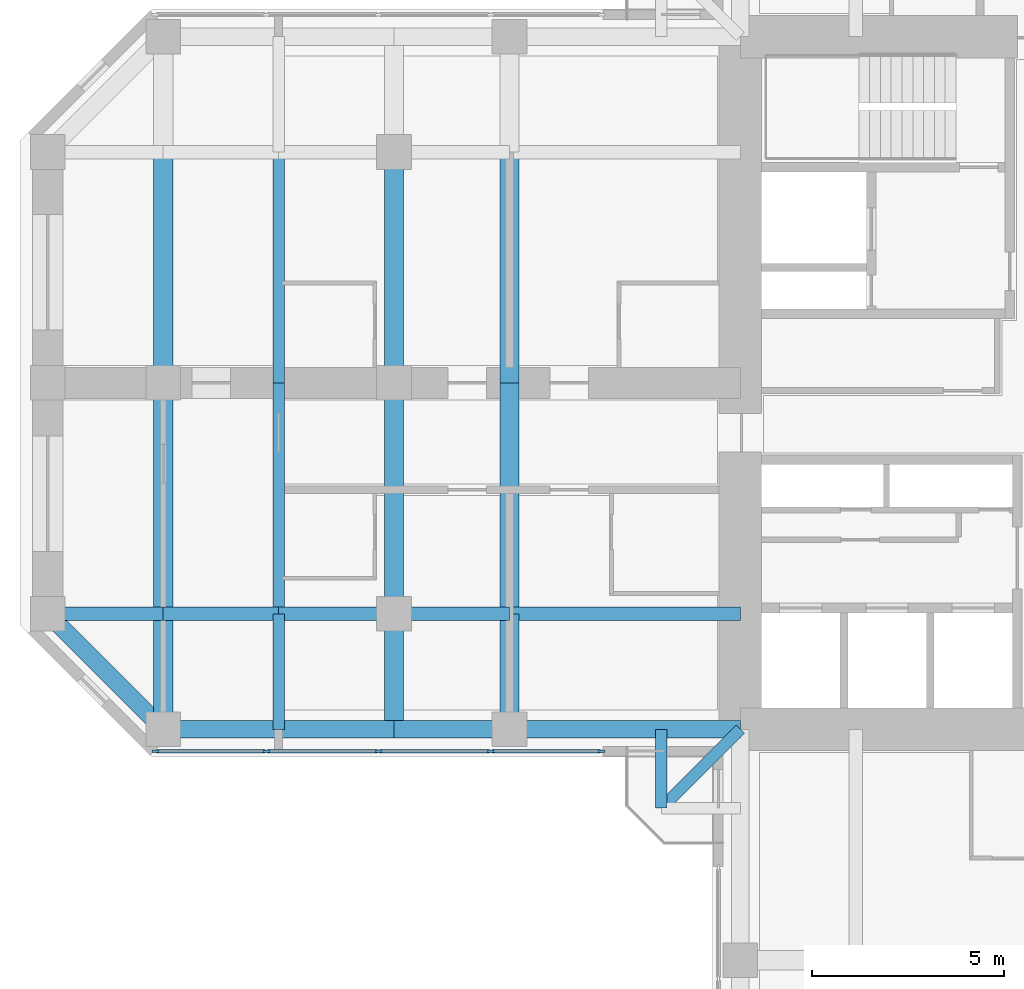
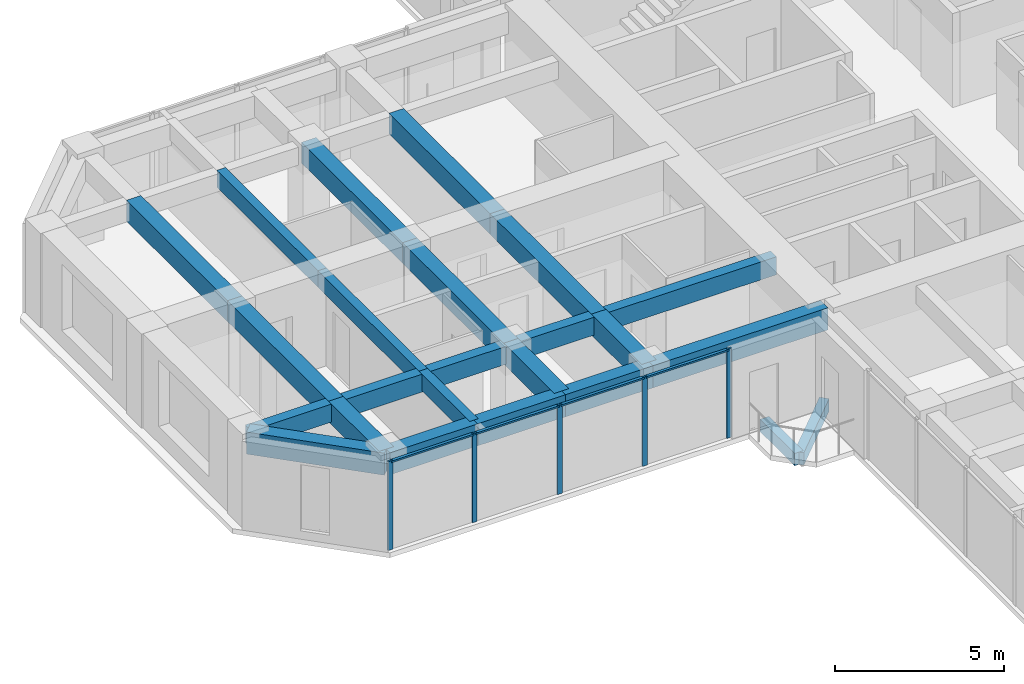
# One storey, part 3 of 14: 24 beams, 9 members, 1 element without a shape of its own.
"""IFC4 building model written with IfcOpenShell, lengths in metres."""

from ifc_helpers import new_model, si_unit, direction, frame, origin, origin_2d, place, context, subcontext, project, spatial, rectangle, extrude, material, material_profile, profile_set, type_object, element, aggregate, save


model = new_model("IFC4")

# Units and contexts
model_context = context("Model", 3, precision=1e-05, world=origin(), true_north=direction((0.0, 1.0)))
body_context = subcontext(model_context, "Body", "Model", "MODEL_VIEW")
ifc_project = project(units=[si_unit("LENGTHUNIT", "METRE"), si_unit("AREAUNIT", "SQUARE_METRE"), si_unit("VOLUMEUNIT", "CUBIC_METRE"), si_unit("PLANEANGLEUNIT", "RADIAN"), si_unit("MASSUNIT", "GRAM", prefix="KILO")], contexts=[model_context])

# Site, building, storey
site_placement = place(None, origin())
site = spatial("IfcSite", under=ifc_project, at=site_placement, CompositionType="ELEMENT")
building_placement = place(site_placement, origin())
building = spatial("IfcBuilding", under=site, at=building_placement, Name="Torre Cruceta", CompositionType="ELEMENT")
storey_placement = place(building_placement, frame((0.0, 0.0, 172.89990234375)))
storey = spatial("IfcBuildingStorey", under=building, at=storey_placement, Name="L42", CompositionType="ELEMENT", Elevation=172.89990234375)

# Beams
ifc_material_1 = material(Name="Concrete G60 (fck 60 MPa)", Category="concrete")
ifc_material_profile_1 = material_profile(ifc_material_1, rectangle(XDim=0.300048828125, YDim=0.449951171875, at=origin_2d()), Name="RC 300X450")
ifc_profile_set_1 = profile_set([ifc_material_profile_1], Name="Concrete G60 (fck 60 MPa)")
beam_type_1 = type_object("IfcBeamType", Name="BALCONY CANTILEVER BEAM RC 300X450", PredefinedType="BEAM", material=ifc_profile_set_1)
beam_1_placement = place(storey_placement, frame((-9.0, -9.0, -0.40478515625), z_axis=(-0.707106781187, -0.707106781187, 0.0), x_axis=(0.707106781187, -0.707106781187, 0.0)))
element("IfcBeam", 1, at=beam_1_placement, inside=storey, type_object=beam_type_1, Name="BB1 balcony beam L42 W", PredefinedType="BEAM", context=body_context, shape_type="SweptSolid", body=[
    extrude(rectangle(XDim=0.300048828125, YDim=0.449951171875, at=origin_2d()), origin(), (0.0, 0.0, 1.0), 2.89990234375),
])
beam_2_placement = place(storey_placement, frame((-11.050537109375, -9.0, -0.40478515625), z_axis=(0.0, -1.0, 0.0), x_axis=(1.0, 0.0, 0.0)))
element("IfcBeam", 2, at=beam_2_placement, inside=storey, type_object=beam_type_1, Name="BB1 balcony edge beam L42 W-X", PredefinedType="BEAM", context=body_context, shape_type="SweptSolid", body=[
    extrude(rectangle(XDim=0.300048828125, YDim=0.449951171875, at=origin_2d()), origin(), (0.0, 0.0, 1.0), 2.050537109375),
])
ifc_material_2 = material(Name="Concrete G60 (fck 60 MPa)", Category="concrete")
ifc_material_profile_2 = material_profile(ifc_material_2, rectangle(XDim=0.35009765625, YDim=0.64990234375, at=origin_2d()), Name="RC 350X650")
ifc_profile_set_2 = profile_set([ifc_material_profile_2], Name="Concrete G60 (fck 60 MPa)")
beam_type_2 = type_object("IfcBeamType", Name="COLUMN LINE BEAM RC 350X650", PredefinedType="BEAM", material=ifc_profile_set_2)
beam_3_placement = place(storey_placement, frame((-9.0, -6.0, 2.89501953125), z_axis=(-1.0, 0.0, 0.0), x_axis=(0.0, -1.0, 0.0)))
element("IfcBeam", 3, at=beam_3_placement, inside=storey, type_object=beam_type_2, Name="LB7 L42 W col+ 1", PredefinedType="BEAM", context=body_context, shape_type="SweptSolid", body=[
    extrude(rectangle(XDim=0.35009765625, YDim=0.64990234375, at=origin_2d()), origin(), (0.0, 0.0, 1.0), 6.0),
])
for number, where, z_axis, x_axis, name in (
    (4, (-15.0, -6.0, 2.89501953125), (-1.0, 0.0, 0.0), (0.0, -1.0, 0.0), "LB7 L42 W col+ 2"),
    (5, (-18.0, -6.0, 2.89501953125), (-1.0, 0.0, 0.0), (0.0, -1.0, 0.0), "LB7 L42 W col+ 3"),
    (6, (-21.0, -6.0, 2.89501953125), (-1.0, 0.0, 0.0), (0.0, -1.0, 0.0), "LB7 L42 W col+ 4"),
    (7, (-24.0, -6.0, 2.89501953125), (-1.0, 0.0, 0.0), (0.0, -1.0, 0.0), "LB7 L42 W col+ 5"),
):
    element("IfcBeam", number, at=place(storey_placement, frame(where, z_axis=z_axis, x_axis=x_axis)), inside=storey, type_object=beam_type_2, Name=name, PredefinedType="BEAM", context=body_context, shape_type="SweptSolid", body=[
        extrude(rectangle(XDim=0.35009765625, YDim=0.64990234375, at=origin_2d()), origin(), (0.0, 0.0, 1.0), 3.0),
    ])
ifc_material_3 = material(Name="Concrete G60 (fck 60 MPa)", Category="concrete")
ifc_material_profile_3 = material_profile(ifc_material_3, rectangle(XDim=0.5, YDim=0.75, at=origin_2d()), Name="RC 500X750")
ifc_profile_set_3 = profile_set([ifc_material_profile_3], Name="Concrete G60 (fck 60 MPa)")
beam_type_3 = type_object("IfcBeamType", Name="CROSS BEAM RC 500X750", PredefinedType="BEAM", material=ifc_profile_set_3)
for number, where, z_axis, x_axis, name in (
    (8, (-15.0, 6.0, 2.84521484375), (0.0, -1.0, 0.0), (1.0, 0.0, 0.0), "GB6 L42 W cross15 2"),
    (9, (-15.0, 0.0, 2.84521484375), (0.0, -1.0, 0.0), (1.0, 0.0, 0.0), "GB6 L42 W cross15 3"),
):
    element("IfcBeam", number, at=place(storey_placement, frame(where, z_axis=z_axis, x_axis=x_axis)), inside=storey, type_object=beam_type_3, Name=name, PredefinedType="BEAM", context=body_context, shape_type="SweptSolid", body=[
        extrude(rectangle(XDim=0.5, YDim=0.75, at=origin_2d()), origin(), (0.0, 0.0, 1.0), 6.0),
    ])
beam_4_placement = place(storey_placement, frame((-15.0, -6.0, 2.84521484375), z_axis=(0.0, -1.0, 0.0), x_axis=(1.0, 0.0, 0.0)))
element("IfcBeam", 10, at=beam_4_placement, inside=storey, type_object=beam_type_3, Name="GB6 L42 W cross15 4", PredefinedType="BEAM", context=body_context, shape_type="SweptSolid", body=[
    extrude(rectangle(XDim=0.5, YDim=0.75, at=origin_2d()), origin(), (0.0, 0.0, 1.0), 3.0),
])
for number, where, z_axis, x_axis, name in (
    (11, (-18.0, 6.0, 2.84521484375), (0.0, -1.0, 0.0), (1.0, 0.0, 0.0), "GB6 L42 W cross18 2"),
    (12, (-18.0, 0.0, 2.84521484375), (0.0, -1.0, 0.0), (1.0, 0.0, 0.0), "GB6 L42 W cross18 3"),
):
    element("IfcBeam", number, at=place(storey_placement, frame(where, z_axis=z_axis, x_axis=x_axis)), inside=storey, type_object=beam_type_3, Name=name, PredefinedType="BEAM", context=body_context, shape_type="SweptSolid", body=[
        extrude(rectangle(XDim=0.5, YDim=0.75, at=origin_2d()), origin(), (0.0, 0.0, 1.0), 6.0),
    ])
beam_5_placement = place(storey_placement, frame((-18.0, -6.0, 2.84521484375), z_axis=(0.0, -1.0, 0.0), x_axis=(1.0, 0.0, 0.0)))
element("IfcBeam", 13, at=beam_5_placement, inside=storey, type_object=beam_type_3, Name="GB6 L42 W cross18 4", PredefinedType="BEAM", context=body_context, shape_type="SweptSolid", body=[
    extrude(rectangle(XDim=0.5, YDim=0.75, at=origin_2d()), origin(), (0.0, 0.0, 1.0), 3.0),
])
for number, where, z_axis, x_axis, name in (
    (14, (-24.0, 6.0, 2.84521484375), (0.0, -1.0, 0.0), (1.0, 0.0, 0.0), "GB6 L42 W cross24 2"),
    (15, (-24.0, 0.0, 2.84521484375), (0.0, -1.0, 0.0), (1.0, 0.0, 0.0), "GB6 L42 W cross24 3"),
):
    element("IfcBeam", number, at=place(storey_placement, frame(where, z_axis=z_axis, x_axis=x_axis)), inside=storey, type_object=beam_type_3, Name=name, PredefinedType="BEAM", context=body_context, shape_type="SweptSolid", body=[
        extrude(rectangle(XDim=0.5, YDim=0.75, at=origin_2d()), origin(), (0.0, 0.0, 1.0), 6.0),
    ])
beam_6_placement = place(storey_placement, frame((-24.0, -6.0, 2.84521484375), z_axis=(0.0, -1.0, 0.0), x_axis=(1.0, 0.0, 0.0)))
element("IfcBeam", 16, at=beam_6_placement, inside=storey, type_object=beam_type_3, Name="GB6 L42 W cross24 4", PredefinedType="BEAM", context=body_context, shape_type="SweptSolid", body=[
    extrude(rectangle(XDim=0.5, YDim=0.75, at=origin_2d()), origin(), (0.0, 0.0, 1.0), 3.0),
])

# Curtain wall, members
ifc_material_4 = material(Name="Aluminium unitised curtain wall", Category="aluminium")
curtain_wall_type = type_object("IfcCurtainWallType", Name="CURTAIN WALL CW-C CO-LIVING", PredefinedType="USERDEFINED", material=ifc_material_4)
curtain_wall_placement = place(storey_placement, origin())
curtain_wall = element("IfcCurtainWall", 17, at=curtain_wall_placement, inside=storey, type_object=curtain_wall_type, Name="CW-C L42 W side 14", ObjectType="UNITISED", PredefinedType="USERDEFINED")
ifc_material_5 = material(Name="Aluminium mullion", Category="aluminium")
ifc_material_profile_4 = material_profile(ifc_material_5, rectangle(XDim=0.06005859375, YDim=0.159912109375, at=origin_2d()), Name="AL 60X160")
ifc_profile_set_4 = profile_set([ifc_material_profile_4], Name="Aluminium mullion")
member_type_1 = type_object("IfcMemberType", Name="CW-C MULLION 60X160", PredefinedType="MULLION", material=ifc_profile_set_4)
member_1_placement = place(storey_placement, frame((-24.2060546875, -9.570068359375, 0.0), z_axis=(0.0, 0.0, 1.0), x_axis=(0.0, 1.0, 0.0)))
member_1 = element("IfcMember", 18, at=member_1_placement, type_object=member_type_1, Name="CW-C mullion 1", PredefinedType="MULLION", context=body_context, shape_type="SweptSolid", body=[
    extrude(rectangle(XDim=0.06005859375, YDim=0.159912109375, at=origin_2d()), origin(), (0.0, 0.0, 1.0), 3.22021484375),
])
member_2_placement = place(storey_placement, frame((-21.319580078125, -9.570068359375, 0.0), z_axis=(0.0, 0.0, 1.0), x_axis=(0.0, 1.0, 0.0)))
member_2 = element("IfcMember", 19, at=member_2_placement, type_object=member_type_1, Name="CW-C mullion 2", PredefinedType="MULLION", context=body_context, shape_type="SweptSolid", body=[
    extrude(rectangle(XDim=0.06005859375, YDim=0.159912109375, at=origin_2d()), origin(), (0.0, 0.0, 1.0), 3.22021484375),
])
member_3_placement = place(storey_placement, frame((-18.403076171875, -9.570068359375, 0.0), z_axis=(0.0, 0.0, 1.0), x_axis=(0.0, 1.0, 0.0)))
member_3 = element("IfcMember", 20, at=member_3_placement, type_object=member_type_1, Name="CW-C mullion 3", PredefinedType="MULLION", context=body_context, shape_type="SweptSolid", body=[
    extrude(rectangle(XDim=0.06005859375, YDim=0.159912109375, at=origin_2d()), origin(), (0.0, 0.0, 1.0), 3.22021484375),
])
member_4_placement = place(storey_placement, frame((-15.486572265625, -9.570068359375, 0.0), z_axis=(0.0, 0.0, 1.0), x_axis=(0.0, 1.0, 0.0)))
member_4 = element("IfcMember", 21, at=member_4_placement, type_object=member_type_1, Name="CW-C mullion 4", PredefinedType="MULLION", context=body_context, shape_type="SweptSolid", body=[
    extrude(rectangle(XDim=0.06005859375, YDim=0.159912109375, at=origin_2d()), origin(), (0.0, 0.0, 1.0), 3.22021484375),
])
member_5_placement = place(storey_placement, frame((-12.60009765625, -9.570068359375, 0.0), z_axis=(0.0, 0.0, 1.0), x_axis=(0.0, 1.0, 0.0)))
member_5 = element("IfcMember", 22, at=member_5_placement, type_object=member_type_1, Name="CW-C mullion 5", PredefinedType="MULLION", context=body_context, shape_type="SweptSolid", body=[
    extrude(rectangle(XDim=0.06005859375, YDim=0.159912109375, at=origin_2d()), origin(), (0.0, 0.0, 1.0), 3.22021484375),
])
ifc_material_6 = material(Name="Aluminium transom", Category="aluminium")
ifc_material_profile_5 = material_profile(ifc_material_6, rectangle(XDim=0.10009765625, YDim=0.06005859375, at=origin_2d()), Name="AL 100X60")
ifc_profile_set_5 = profile_set([ifc_material_profile_5], Name="Aluminium transom")
member_type_2 = type_object("IfcMemberType", Name="CW-C TRANSOM 60X100", PredefinedType="USERDEFINED", material=ifc_profile_set_5)
member_6_placement = place(storey_placement, frame((-24.176025390625, -9.570068359375, 3.190185546875), z_axis=(1.0, 0.0, 0.0), x_axis=(0.0, 1.0, 0.0)))
member_6 = element("IfcMember", 23, at=member_6_placement, type_object=member_type_2, Name="CW-C transom 1", ObjectType="TRANSOM", PredefinedType="USERDEFINED", context=body_context, shape_type="SweptSolid", body=[
    extrude(rectangle(XDim=0.10009765625, YDim=0.06005859375, at=origin_2d()), origin(), (0.0, 0.0, 1.0), 2.826416015625),
])
member_7_placement = place(storey_placement, frame((-21.28955078125, -9.570068359375, 3.190185546875), z_axis=(1.0, 0.0, 0.0), x_axis=(0.0, 1.0, 0.0)))
member_7 = element("IfcMember", 24, at=member_7_placement, type_object=member_type_2, Name="CW-C transom 2", ObjectType="TRANSOM", PredefinedType="USERDEFINED", context=body_context, shape_type="SweptSolid", body=[
    extrude(rectangle(XDim=0.10009765625, YDim=0.06005859375, at=origin_2d()), origin(), (0.0, 0.0, 1.0), 2.8564453125),
])
member_8_placement = place(storey_placement, frame((-18.373046875, -9.570068359375, 3.190185546875), z_axis=(1.0, 0.0, 0.0), x_axis=(0.0, 1.0, 0.0)))
member_8 = element("IfcMember", 25, at=member_8_placement, type_object=member_type_2, Name="CW-C transom 3", ObjectType="TRANSOM", PredefinedType="USERDEFINED", context=body_context, shape_type="SweptSolid", body=[
    extrude(rectangle(XDim=0.10009765625, YDim=0.06005859375, at=origin_2d()), origin(), (0.0, 0.0, 1.0), 2.8564453125),
])
member_9_placement = place(storey_placement, frame((-15.45654296875, -9.570068359375, 3.190185546875), z_axis=(1.0, 0.0, 0.0), x_axis=(0.0, 1.0, 0.0)))
member_9 = element("IfcMember", 26, at=member_9_placement, type_object=member_type_2, Name="CW-C transom 4", ObjectType="TRANSOM", PredefinedType="USERDEFINED", context=body_context, shape_type="SweptSolid", body=[
    extrude(rectangle(XDim=0.10009765625, YDim=0.06005859375, at=origin_2d()), origin(), (0.0, 0.0, 1.0), 2.82666015625),
])
aggregate(curtain_wall, [member_1, member_2, member_3, member_4, member_5, member_6, member_7, member_8, member_9])

# Beams
ifc_material_7 = material(Name="Concrete G60 (fck 60 MPa)", Category="concrete")
ifc_material_profile_6 = material_profile(ifc_material_7, rectangle(XDim=0.300048828125, YDim=0.60009765625, at=origin_2d()), Name="RC 300X600")
ifc_profile_set_6 = profile_set([ifc_material_profile_6], Name="Concrete G60 (fck 60 MPa)")
beam_type_4 = type_object("IfcBeamType", Name="SECONDARY BEAM RC 300X600", PredefinedType="JOIST", material=ifc_profile_set_6)
for number, where, z_axis, x_axis, name in (
    (27, (-21.0, 6.0, 2.920166015625), (0.0, -1.0, 0.0), (1.0, 0.0, 0.0), "JB6 L42 W sec21 2"),
    (28, (-21.0, 0.0, 2.920166015625), (0.0, -1.0, 0.0), (1.0, 0.0, 0.0), "JB6 L42 W sec21 3"),
):
    element("IfcBeam", number, at=place(storey_placement, frame(where, z_axis=z_axis, x_axis=x_axis)), inside=storey, type_object=beam_type_4, Name=name, PredefinedType="JOIST", context=body_context, shape_type="SweptSolid", body=[
        extrude(rectangle(XDim=0.300048828125, YDim=0.60009765625, at=origin_2d()), origin(), (0.0, 0.0, 1.0), 6.0),
    ])
beam_7_placement = place(storey_placement, frame((-21.0, -6.0, 2.920166015625), z_axis=(0.0, -1.0, 0.0), x_axis=(1.0, 0.0, 0.0)))
element("IfcBeam", 29, at=beam_7_placement, inside=storey, type_object=beam_type_4, Name="JB6 L42 W sec21 4", PredefinedType="JOIST", context=body_context, shape_type="SweptSolid", body=[
    extrude(rectangle(XDim=0.300048828125, YDim=0.60009765625, at=origin_2d()), origin(), (0.0, 0.0, 1.0), 3.0),
])
ifc_material_8 = material(Name="Concrete G60 (fck 60 MPa)", Category="concrete")
ifc_material_profile_7 = material_profile(ifc_material_8, rectangle(XDim=0.449951171875, YDim=0.800048828125, at=origin_2d()), Name="RC 450X800")
ifc_profile_set_7 = profile_set([ifc_material_profile_7], Name="Concrete G60 (fck 60 MPa)")
beam_type_5 = type_object("IfcBeamType", Name="SPANDREL BEAM RC 450X800", PredefinedType="SPANDREL", material=ifc_profile_set_7)
beam_8_placement = place(storey_placement, frame((-9.0, -9.0, 2.820068359375), z_axis=(-1.0, 0.0, 0.0), x_axis=(0.0, -1.0, 0.0)))
element("IfcBeam", 30, at=beam_8_placement, inside=storey, type_object=beam_type_5, Name="SB6 L42 W side+ 1", PredefinedType="SPANDREL", context=body_context, shape_type="SweptSolid", body=[
    extrude(rectangle(XDim=0.449951171875, YDim=0.800048828125, at=origin_2d()), origin(), (0.0, 0.0, 1.0), 6.0),
])
for number, where, z_axis, x_axis, name in (
    (31, (-15.0, -9.0, 2.820068359375), (-1.0, 0.0, 0.0), (0.0, -1.0, 0.0), "SB6 L42 W side+ 2"),
    (32, (-18.0, -9.0, 2.820068359375), (-1.0, 0.0, 0.0), (0.0, -1.0, 0.0), "SB6 L42 W side+ 3"),
    (33, (-21.0, -9.0, 2.820068359375), (-1.0, 0.0, 0.0), (0.0, -1.0, 0.0), "SB6 L42 W side+ 4"),
):
    element("IfcBeam", number, at=place(storey_placement, frame(where, z_axis=z_axis, x_axis=x_axis)), inside=storey, type_object=beam_type_5, Name=name, PredefinedType="SPANDREL", context=body_context, shape_type="SweptSolid", body=[
        extrude(rectangle(XDim=0.449951171875, YDim=0.800048828125, at=origin_2d()), origin(), (0.0, 0.0, 1.0), 3.0),
    ])
beam_9_placement = place(storey_placement, frame((-24.0, -9.0, 2.820068359375), z_axis=(-0.707106781187, 0.707106781187, 0.0), x_axis=(-0.707106781187, -0.707106781187, 0.0)))
element("IfcBeam", 34, at=beam_9_placement, inside=storey, type_object=beam_type_5, Name="SB6 L42 W side+ 5", PredefinedType="SPANDREL", context=body_context, shape_type="SweptSolid", body=[
    extrude(rectangle(XDim=0.449951171875, YDim=0.800048828125, at=origin_2d()), origin(), (0.0, 0.0, 1.0), 4.24267578125),
])

save(model, "model.ifc")
